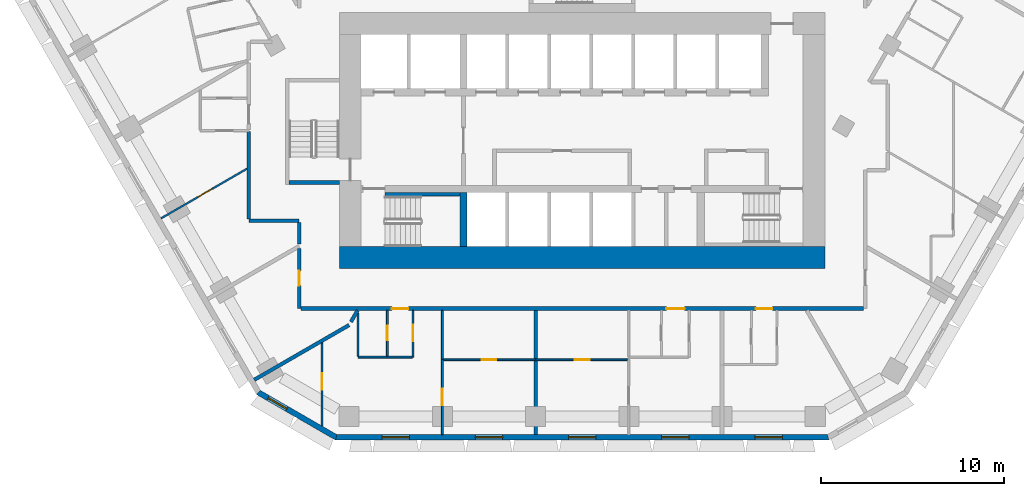
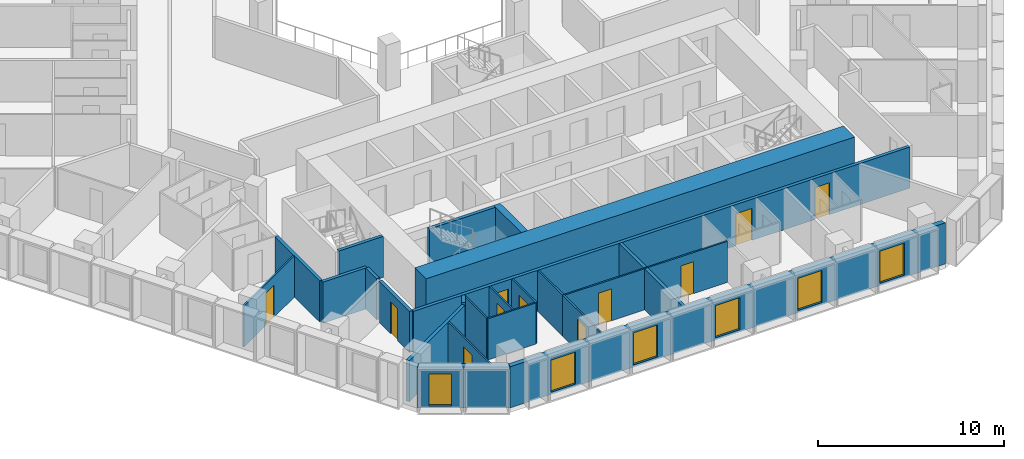
# One storey, part 3 of 16: 24 walls, 11 doors, 6 windows, 17 openings.
"""IFC4 building model written with IfcOpenShell, lengths in metres."""

from ifc_helpers import new_model, si_unit, direction, frame, frame_2d, origin, place, context, subcontext, project, spatial, polyline, rectangle, outline, extrude, material, layer, layer_set, type_object, element, fill, save


model = new_model("IFC4")

# Units and contexts
model_context = context("Model", 3, precision=1e-05, world=origin(), true_north=direction((0.0, 1.0)))
body_context = subcontext(model_context, "Body", "Model", "MODEL_VIEW")
ifc_project = project(units=[si_unit("LENGTHUNIT", "METRE"), si_unit("AREAUNIT", "SQUARE_METRE"), si_unit("VOLUMEUNIT", "CUBIC_METRE"), si_unit("PLANEANGLEUNIT", "RADIAN"), si_unit("MASSUNIT", "GRAM", prefix="KILO")], contexts=[model_context])

# Site, building, storey
site_placement = place(None, origin())
site = spatial("IfcSite", under=ifc_project, at=site_placement, CompositionType="ELEMENT")
building_placement = place(site_placement, origin())
building = spatial("IfcBuilding", under=site, at=building_placement, Name="Beryl Residences", CompositionType="ELEMENT")
storey_placement = place(building_placement, frame((0.0, 0.0, 50.39990234375)))
storey = spatial("IfcBuildingStorey", under=building, at=storey_placement, Name="L15", CompositionType="ELEMENT", Elevation=50.39990234375)

# Wall, opening, window
ifc_material_1 = material(Name="Composite metal panel with mineral wool insulation")
ifc_layer_1 = layer(ifc_material_1, 0.300048828125)
ifc_layer_set_1 = layer_set([ifc_layer_1], Name="ES1 pale metal composite panel wall 300 mm")
wall_type_1 = type_object("IfcWallType", Name="ES1 pale metal composite panel wall 300 mm", PredefinedType="SOLIDWALL", material=ifc_layer_set_1)
wall_1_placement = place(storey_placement, frame((-17.764892578125, -25.77001953125, 0.0), z_axis=(0.0, 0.0, 1.0), x_axis=(0.866010750942, -0.50002537861, 0.0)))
wall_1 = element("IfcWall", 1, at=wall_1_placement, inside=storey, type_object=wall_type_1, Name="ES1 external wall L15 SW-S", PredefinedType="SOLIDWALL", context=body_context, shape_type="SweptSolid", body=[
    extrude(outline(polyline([(0.0, -0.14990234375), (4.999755859375, -0.14990234375), (4.91943359375, 0.14990234375), (0.080322265625, 0.14990234375), (0.0, -0.14990234375)])), origin(), (0.0, 0.0, 1.0), 2.7001953125),
])
opening_1_placement = place(wall_1_placement, frame((0.64990234375, 0.0, 0.14990234375)))
opening_1 = element("IfcOpeningElement", 2, at=opening_1_placement, cuts=wall_1, Name="Opening W2", PredefinedType="OPENING", context=body_context, shape_type="SweptSolid", body=[
    extrude(rectangle(XDim=1.199951171875, YDim=2.10009765625, at=frame_2d((0.60009765625, 1.050048828125))), frame((0.0, 0.159912109375, 0.0), z_axis=(0.0, -1.0, 0.0), x_axis=(1.0, 0.0, 0.0)), (0.0, 0.0, 1.0), 0.320068359375),
])
ifc_material_2 = material(Name="Aluminium and clear glass", Category="aluminium")
window_type_1 = type_object("IfcWindowType", Name="W2 chamfer window 1200 x 2100 mm", PartitioningType="SINGLE_PANEL", PredefinedType="WINDOW", material=ifc_material_2)
window_1_placement = place(opening_1_placement, origin())
window_1 = element("IfcWindow", 3, at=window_1_placement, inside=storey, type_object=window_type_1, Name="W2 window L15 SW-S 1", OverallHeight=2.10009765625, OverallWidth=1.199951171875, PartitioningType="SINGLE_PANEL", PredefinedType="WINDOW", context=body_context, shape_type="SweptSolid", body=[
    extrude(rectangle(XDim=1.199951171875, YDim=2.10009765625, at=frame_2d((0.60009765625, 1.050048828125))), frame((0.0, 0.030029296875, 0.0), z_axis=(0.0, -1.0, 0.0), x_axis=(1.0, 0.0, 0.0)), (0.0, 0.0, 1.0), 0.06005859375),
])
fill(opening_1, window_1)

# Wall, openings, windows
wall_2_placement = place(storey_placement, frame((-13.510009765625, -28.25, 0.0), z_axis=(0.0, 0.0, 1.0), x_axis=(1.0, 0.0, 0.0)))
wall_2 = element("IfcWall", 4, at=wall_2_placement, inside=storey, type_object=wall_type_1, Name="ES1 external wall L15 S", PredefinedType="SOLIDWALL", context=body_context, shape_type="SweptSolid", body=[
    extrude(outline(polyline([(0.0, -0.14990234375), (27.02001953125, -0.14990234375), (26.939697265625, 0.14990234375), (0.080322265625, 0.14990234375), (0.0, -0.14990234375)])), origin(), (0.0, 0.0, 1.0), 2.7001953125),
])
opening_2_placement = place(wall_2_placement, frame((2.552978515625, 0.0, 0.14990234375)))
opening_2 = element("IfcOpeningElement", 5, at=opening_2_placement, cuts=wall_2, Name="Opening W1", PredefinedType="OPENING", context=body_context, shape_type="SweptSolid", body=[
    extrude(rectangle(XDim=1.5, YDim=2.10009765625, at=frame_2d((0.75, 1.050048828125))), frame((0.0, 0.159912109375, 0.0), z_axis=(0.0, -1.0, 0.0), x_axis=(1.0, 0.0, 0.0)), (0.0, 0.0, 1.0), 0.320068359375),
])
opening_3_placement = place(wall_2_placement, frame((7.656982421875, 0.0, 0.14990234375)))
opening_3 = element("IfcOpeningElement", 6, at=opening_3_placement, cuts=wall_2, Name="Opening W1", PredefinedType="OPENING", context=body_context, shape_type="SweptSolid", body=[
    extrude(rectangle(XDim=1.5, YDim=2.10009765625, at=frame_2d((0.75, 1.050048828125))), frame((0.0, 0.159912109375, 0.0), z_axis=(0.0, -1.0, 0.0), x_axis=(1.0, 0.0, 0.0)), (0.0, 0.0, 1.0), 0.320068359375),
])
opening_4_placement = place(wall_2_placement, frame((12.760986328125, 0.0, 0.14990234375)))
opening_4 = element("IfcOpeningElement", 7, at=opening_4_placement, cuts=wall_2, Name="Opening W1", PredefinedType="OPENING", context=body_context, shape_type="SweptSolid", body=[
    extrude(rectangle(XDim=1.5, YDim=2.10009765625, at=frame_2d((0.75, 1.050048828125))), frame((0.0, 0.159912109375, 0.0), z_axis=(0.0, -1.0, 0.0), x_axis=(1.0, 0.0, 0.0)), (0.0, 0.0, 1.0), 0.320068359375),
])
opening_5_placement = place(wall_2_placement, frame((17.864990234375, 0.0, 0.14990234375)))
opening_5 = element("IfcOpeningElement", 8, at=opening_5_placement, cuts=wall_2, Name="Opening W1", PredefinedType="OPENING", context=body_context, shape_type="SweptSolid", body=[
    extrude(rectangle(XDim=1.5, YDim=2.10009765625, at=frame_2d((0.75, 1.050048828125))), frame((0.0, 0.159912109375, 0.0), z_axis=(0.0, -1.0, 0.0), x_axis=(1.0, 0.0, 0.0)), (0.0, 0.0, 1.0), 0.320068359375),
])
opening_6_placement = place(wall_2_placement, frame((22.968994140625, 0.0, 0.14990234375)))
opening_6 = element("IfcOpeningElement", 9, at=opening_6_placement, cuts=wall_2, Name="Opening W1", PredefinedType="OPENING", context=body_context, shape_type="SweptSolid", body=[
    extrude(rectangle(XDim=1.5, YDim=2.10009765625, at=frame_2d((0.75, 1.050048828125))), frame((0.0, 0.159912109375, 0.0), z_axis=(0.0, -1.0, 0.0), x_axis=(1.0, 0.0, 0.0)), (0.0, 0.0, 1.0), 0.320068359375),
])
ifc_material_3 = material(Name="Aluminium and clear glass", Category="aluminium")
window_type_2 = type_object("IfcWindowType", Name="W1 cell window 1500 x 2100 mm", PartitioningType="SINGLE_PANEL", PredefinedType="WINDOW", material=ifc_material_3)
window_2_placement = place(opening_2_placement, origin())
window_2 = element("IfcWindow", 10, at=window_2_placement, inside=storey, type_object=window_type_2, Name="W1 window L15 S 2", OverallHeight=2.10009765625, OverallWidth=1.5, PartitioningType="SINGLE_PANEL", PredefinedType="WINDOW", context=body_context, shape_type="SweptSolid", body=[
    extrude(rectangle(XDim=1.5, YDim=2.10009765625, at=frame_2d((0.75, 1.050048828125))), frame((0.0, 0.030029296875, 0.0), z_axis=(0.0, -1.0, 0.0), x_axis=(1.0, 0.0, 0.0)), (0.0, 0.0, 1.0), 0.06005859375),
])
fill(opening_2, window_2)
window_3_placement = place(opening_3_placement, origin())
window_3 = element("IfcWindow", 11, at=window_3_placement, inside=storey, type_object=window_type_2, Name="W1 window L15 S 4", OverallHeight=2.10009765625, OverallWidth=1.5, PartitioningType="SINGLE_PANEL", PredefinedType="WINDOW", context=body_context, shape_type="SweptSolid", body=[
    extrude(rectangle(XDim=1.5, YDim=2.10009765625, at=frame_2d((0.75, 1.050048828125))), frame((0.0, 0.030029296875, 0.0), z_axis=(0.0, -1.0, 0.0), x_axis=(1.0, 0.0, 0.0)), (0.0, 0.0, 1.0), 0.06005859375),
])
fill(opening_3, window_3)
window_4_placement = place(opening_4_placement, origin())
window_4 = element("IfcWindow", 12, at=window_4_placement, inside=storey, type_object=window_type_2, Name="W1 window L15 S 6", OverallHeight=2.10009765625, OverallWidth=1.5, PartitioningType="SINGLE_PANEL", PredefinedType="WINDOW", context=body_context, shape_type="SweptSolid", body=[
    extrude(rectangle(XDim=1.5, YDim=2.10009765625, at=frame_2d((0.75, 1.050048828125))), frame((0.0, 0.030029296875, 0.0), z_axis=(0.0, -1.0, 0.0), x_axis=(1.0, 0.0, 0.0)), (0.0, 0.0, 1.0), 0.06005859375),
])
fill(opening_4, window_4)
window_5_placement = place(opening_5_placement, origin())
window_5 = element("IfcWindow", 13, at=window_5_placement, inside=storey, type_object=window_type_2, Name="W1 window L15 S 8", OverallHeight=2.10009765625, OverallWidth=1.5, PartitioningType="SINGLE_PANEL", PredefinedType="WINDOW", context=body_context, shape_type="SweptSolid", body=[
    extrude(rectangle(XDim=1.5, YDim=2.10009765625, at=frame_2d((0.75, 1.050048828125))), frame((0.0, 0.030029296875, 0.0), z_axis=(0.0, -1.0, 0.0), x_axis=(1.0, 0.0, 0.0)), (0.0, 0.0, 1.0), 0.06005859375),
])
fill(opening_5, window_5)
window_6_placement = place(opening_6_placement, origin())
window_6 = element("IfcWindow", 14, at=window_6_placement, inside=storey, type_object=window_type_2, Name="W1 window L15 S 10", OverallHeight=2.10009765625, OverallWidth=1.5, PartitioningType="SINGLE_PANEL", PredefinedType="WINDOW", context=body_context, shape_type="SweptSolid", body=[
    extrude(rectangle(XDim=1.5, YDim=2.10009765625, at=frame_2d((0.75, 1.050048828125))), frame((0.0, 0.030029296875, 0.0), z_axis=(0.0, -1.0, 0.0), x_axis=(1.0, 0.0, 0.0)), (0.0, 0.0, 1.0), 0.06005859375),
])
fill(opening_6, window_6)

# Walls
ifc_material_4 = material(Name="Gypsum board partition on steel studs", Category="steel")
ifc_layer_2 = layer(ifc_material_4, 0.10009765625)
ifc_layer_set_2 = layer_set([ifc_layer_2], Name="PT1 partition 100 mm gypsum board on steel studs")
wall_type_2 = type_object("IfcWallType", Name="PT1 partition 100 mm gypsum board on steel studs", PredefinedType="PARTITIONING", material=ifc_layer_set_2)
wall_3_placement = place(storey_placement, frame((-7.655029296875, -21.300048828125, 0.0), z_axis=(0.0, 0.0, 1.0), x_axis=(0.0, -1.0, 0.0)))
element("IfcWall", 15, at=wall_3_placement, inside=storey, type_object=wall_type_2, Name="Wall PT1 L15 007", PredefinedType="PARTITIONING", context=body_context, shape_type="SweptSolid", body=[
    extrude(rectangle(XDim=2.669921875, YDim=0.10009765625, at=frame_2d((1.3349609375, 0.0))), origin(), (0.0, 0.0, 1.0), 2.7001953125),
])
wall_4_placement = place(storey_placement, frame((-12.27490234375, -21.4599609375, 0.0), z_axis=(0.0, 0.0, 1.0), x_axis=(0.0, -1.0, 0.0)))
element("IfcWall", 16, at=wall_4_placement, inside=storey, type_object=wall_type_2, Name="Wall PT1 L15 008", PredefinedType="PARTITIONING", context=body_context, shape_type="SweptSolid", body=[
    extrude(rectangle(XDim=2.34912109375, YDim=0.10009765625, at=frame_2d((1.174560546875, 0.0))), origin(), (0.0, 0.0, 1.0), 2.7001953125),
])
wall_5_placement = place(storey_placement, frame((-12.27392578125, -23.860107421875, 0.0), z_axis=(0.0, 0.0, 1.0), x_axis=(1.0, 0.0, 0.0)))
element("IfcWall", 17, at=wall_5_placement, inside=storey, type_object=wall_type_2, Name="Wall PT1 L15 028", PredefinedType="PARTITIONING", context=body_context, shape_type="SweptSolid", body=[
    extrude(rectangle(XDim=2.9580078125, YDim=0.10009765625, at=frame_2d((1.47900390625, 0.0))), origin(), (0.0, 0.0, 1.0), 2.7001953125),
])

# Wall, opening, door
wall_6_placement = place(storey_placement, frame((-7.60498046875, -24.0, 0.0), z_axis=(0.0, 0.0, 1.0), x_axis=(1.0, 0.0, 0.0)))
wall_6 = element("IfcWall", 18, at=wall_6_placement, inside=storey, type_object=wall_type_2, Name="Wall PT1 L15 030", PredefinedType="PARTITIONING", context=body_context, shape_type="SweptSolid", body=[
    extrude(rectangle(XDim=5.053955078125, YDim=0.10009765625, at=frame_2d((2.52685546875, 0.0))), origin(), (0.0, 0.0, 1.0), 2.7001953125),
])
opening_7_placement = place(wall_6_placement, frame((2.10205078125, 0.0, 0.0)))
opening_7 = element("IfcOpeningElement", 19, at=opening_7_placement, cuts=wall_6, Name="Opening D0526", PredefinedType="OPENING", context=body_context, shape_type="SweptSolid", body=[
    extrude(rectangle(XDim=0.800048828125, YDim=2.10009765625, at=frame_2d((0.39990234375, 1.050048828125))), frame((0.0, 0.06005859375, 0.0), z_axis=(0.0, -1.0, 0.0), x_axis=(1.0, 0.0, 0.0)), (0.0, 0.0, 1.0), 0.1201171875),
])
ifc_material_5 = material(Name="Timber door leaf", Category="wood")
door_type_1 = type_object("IfcDoorType", Name="D3 bathroom door 800 x 2100 mm", OperationType="SINGLE_SWING_LEFT", PredefinedType="DOOR", material=ifc_material_5)
door_1_placement = place(opening_7_placement, origin())
door_1 = element("IfcDoor", 20, at=door_1_placement, inside=storey, type_object=door_type_1, Name="Door D0526 L15 001", OperationType="SINGLE_SWING_RIGHT", OverallHeight=2.10009765625, OverallWidth=0.800048828125, PredefinedType="DOOR", context=body_context, shape_type="SweptSolid", body=[
    extrude(rectangle(XDim=0.800048828125, YDim=2.10009765625, at=frame_2d((0.39990234375, 1.050048828125))), frame((0.0, 0.02490234375, 0.0), z_axis=(0.0, -1.0, 0.0), x_axis=(1.0, 0.0, 0.0)), (0.0, 0.0, 1.0), 0.050048828125),
])
fill(opening_7, door_1)

wall_7_placement = place(storey_placement, frame((-7.655029296875, -28.10009765625, 0.0), z_axis=(0.0, 0.0, 1.0), x_axis=(0.0, 1.0, 0.0)))
wall_7 = element("IfcWall", 21, at=wall_7_placement, inside=storey, type_object=wall_type_2, Name="Wall PT1 L15 052", PredefinedType="PARTITIONING", context=body_context, shape_type="SweptSolid", body=[
    extrude(rectangle(XDim=4.1201171875, YDim=0.10009765625, at=frame_2d((2.06005859375, 0.0))), origin(), (0.0, 0.0, 1.0), 2.7001953125),
])
opening_8_placement = place(wall_7_placement, frame((1.610107421875, 0.0, 0.0)))
opening_8 = element("IfcOpeningElement", 22, at=opening_8_placement, cuts=wall_7, Name="Opening D0525", PredefinedType="OPENING", context=body_context, shape_type="SweptSolid", body=[
    extrude(rectangle(XDim=0.89990234375, YDim=2.10009765625, at=frame_2d((0.449951171875, 1.050048828125))), frame((0.0, 0.06005859375, 0.0), z_axis=(0.0, -1.0, 0.0), x_axis=(1.0, 0.0, 0.0)), (0.0, 0.0, 1.0), 0.1201171875),
])
ifc_material_6 = material(Name="Timber door leaf", Category="wood")
door_type_2 = type_object("IfcDoorType", Name="D2 room door 900 x 2100 mm", OperationType="SINGLE_SWING_LEFT", PredefinedType="DOOR", material=ifc_material_6)
door_2_placement = place(opening_8_placement, origin())
door_2 = element("IfcDoor", 23, at=door_2_placement, inside=storey, type_object=door_type_2, Name="Door D0525 L15 001", OperationType="SINGLE_SWING_LEFT", OverallHeight=2.10009765625, OverallWidth=0.89990234375, PredefinedType="DOOR", context=body_context, shape_type="SweptSolid", body=[
    extrude(rectangle(XDim=0.89990234375, YDim=2.10009765625, at=frame_2d((0.449951171875, 1.050048828125))), frame((0.0, 0.02490234375, 0.0), z_axis=(0.0, -1.0, 0.0), x_axis=(1.0, 0.0, 0.0)), (0.0, 0.0, 1.0), 0.050048828125),
])
fill(opening_8, door_2)

wall_8_placement = place(storey_placement, frame((-9.264892578125, -23.85888671875, 0.0), z_axis=(0.0, 0.0, 1.0), x_axis=(0.0, 1.0, 0.0)))
wall_8 = element("IfcWall", 24, at=wall_8_placement, inside=storey, type_object=wall_type_2, Name="Wall PT1 L15 054", PredefinedType="PARTITIONING", context=body_context, shape_type="SweptSolid", body=[
    extrude(rectangle(XDim=2.558837890625, YDim=0.10009765625, at=frame_2d((1.279296875, 0.0))), origin(), (0.0, 0.0, 1.0), 2.7001953125),
])
opening_9_placement = place(wall_8_placement, frame((0.87890625, 0.0, 0.0)))
opening_9 = element("IfcOpeningElement", 25, at=opening_9_placement, cuts=wall_8, Name="Opening D0522", PredefinedType="OPENING", context=body_context, shape_type="SweptSolid", body=[
    extrude(rectangle(XDim=0.89990234375, YDim=2.10009765625, at=frame_2d((0.449951171875, 1.050048828125))), frame((0.0, 0.06005859375, 0.0), z_axis=(0.0, -1.0, 0.0), x_axis=(1.0, 0.0, 0.0)), (0.0, 0.0, 1.0), 0.1201171875),
])
door_3_placement = place(opening_9_placement, origin())
door_3 = element("IfcDoor", 26, at=door_3_placement, inside=storey, type_object=door_type_2, Name="Door D0522 L15 001", OperationType="SINGLE_SWING_RIGHT", OverallHeight=2.10009765625, OverallWidth=0.89990234375, PredefinedType="DOOR", context=body_context, shape_type="SweptSolid", body=[
    extrude(rectangle(XDim=0.89990234375, YDim=2.10009765625, at=frame_2d((0.449951171875, 1.050048828125))), frame((0.0, 0.02490234375, 0.0), z_axis=(0.0, -1.0, 0.0), x_axis=(1.0, 0.0, 0.0)), (0.0, 0.0, 1.0), 0.050048828125),
])
fill(opening_9, door_3)

wall_9_placement = place(storey_placement, frame((-10.6650390625, -23.81005859375, 0.0), z_axis=(0.0, 0.0, 1.0), x_axis=(0.0, 1.0, 0.0)))
wall_9 = element("IfcWall", 27, at=wall_9_placement, inside=storey, type_object=wall_type_2, Name="Wall PT1 L15 055", PredefinedType="PARTITIONING", context=body_context, shape_type="SweptSolid", body=[
    extrude(rectangle(XDim=2.510009765625, YDim=0.10009765625, at=frame_2d((1.2548828125, 0.0))), origin(), (0.0, 0.0, 1.0), 2.7001953125),
])
opening_10_placement = place(wall_9_placement, frame((0.8798828125, 0.0, 0.0)))
opening_10 = element("IfcOpeningElement", 28, at=opening_10_placement, cuts=wall_9, Name="Opening D0523", PredefinedType="OPENING", context=body_context, shape_type="SweptSolid", body=[
    extrude(rectangle(XDim=0.800048828125, YDim=2.10009765625, at=frame_2d((0.39990234375, 1.050048828125))), frame((0.0, 0.06005859375, 0.0), z_axis=(0.0, -1.0, 0.0), x_axis=(1.0, 0.0, 0.0)), (0.0, 0.0, 1.0), 0.1201171875),
])
door_4_placement = place(opening_10_placement, origin())
door_4 = element("IfcDoor", 29, at=door_4_placement, inside=storey, type_object=door_type_1, Name="Door D0523 L15 001", OperationType="SINGLE_SWING_LEFT", OverallHeight=2.10009765625, OverallWidth=0.800048828125, PredefinedType="DOOR", context=body_context, shape_type="SweptSolid", body=[
    extrude(rectangle(XDim=0.800048828125, YDim=2.10009765625, at=frame_2d((0.39990234375, 1.050048828125))), frame((0.0, 0.02490234375, 0.0), z_axis=(0.0, -1.0, 0.0), x_axis=(1.0, 0.0, 0.0)), (0.0, 0.0, 1.0), 0.050048828125),
])
fill(opening_10, door_4)

wall_10_placement = place(storey_placement, frame((-14.2470703125, -27.6279296875, 0.0), z_axis=(0.0, 0.0, 1.0), x_axis=(0.0, 1.0, 0.0)))
wall_10 = element("IfcWall", 30, at=wall_10_placement, inside=storey, type_object=wall_type_2, Name="Wall PT1 L15 056", PredefinedType="PARTITIONING", context=body_context, shape_type="SweptSolid", body=[
    extrude(rectangle(XDim=4.552001953125, YDim=0.10009765625, at=frame_2d((2.27587890625, 0.0))), origin(), (0.0, 0.0, 1.0), 2.7001953125),
])
opening_11_placement = place(wall_10_placement, frame((1.98388671875, 0.0, 0.0)))
opening_11 = element("IfcOpeningElement", 31, at=opening_11_placement, cuts=wall_10, Name="Opening D0524", PredefinedType="OPENING", context=body_context, shape_type="SweptSolid", body=[
    extrude(rectangle(XDim=0.89990234375, YDim=2.10009765625, at=frame_2d((0.449951171875, 1.050048828125))), frame((0.0, 0.06005859375, 0.0), z_axis=(0.0, -1.0, 0.0), x_axis=(1.0, 0.0, 0.0)), (0.0, 0.0, 1.0), 0.1201171875),
])
door_5_placement = place(opening_11_placement, origin())
door_5 = element("IfcDoor", 32, at=door_5_placement, inside=storey, type_object=door_type_2, Name="Door D0524 L15 001", OperationType="SINGLE_SWING_RIGHT", OverallHeight=2.10009765625, OverallWidth=0.89990234375, PredefinedType="DOOR", context=body_context, shape_type="SweptSolid", body=[
    extrude(rectangle(XDim=0.89990234375, YDim=2.10009765625, at=frame_2d((0.449951171875, 1.050048828125))), frame((0.0, 0.02490234375, 0.0), z_axis=(0.0, -1.0, 0.0), x_axis=(1.0, 0.0, 0.0)), (0.0, 0.0, 1.0), 0.050048828125),
])
fill(opening_11, door_5)

wall_11_placement = place(storey_placement, frame((-23.05908203125, -16.260986328125, 0.0), z_axis=(0.0, 0.0, 1.0), x_axis=(0.866004639177, 0.500035963631, 0.0)))
wall_11 = element("IfcWall", 33, at=wall_11_placement, inside=storey, type_object=wall_type_2, Name="Wall PT1 L15 062", PredefinedType="PARTITIONING", context=body_context, shape_type="SweptSolid", body=[
    extrude(rectangle(XDim=5.4375, YDim=0.10009765625, at=frame_2d((2.71875, 0.0))), origin(), (0.0, 0.0, 1.0), 2.7001953125),
])
opening_12_placement = place(wall_11_placement, frame((2.325927734375, 0.0, 0.0)))
opening_12 = element("IfcOpeningElement", 34, at=opening_12_placement, cuts=wall_11, Name="Opening D0519", PredefinedType="OPENING", context=body_context, shape_type="SweptSolid", body=[
    extrude(rectangle(XDim=0.89990234375, YDim=2.10009765625, at=frame_2d((0.449951171875, 1.050048828125))), frame((0.0, 0.06005859375, 0.0), z_axis=(0.0, -1.0, 0.0), x_axis=(1.0, 0.0, 0.0)), (0.0, 0.0, 1.0), 0.1201171875),
])
door_6_placement = place(opening_12_placement, origin())
door_6 = element("IfcDoor", 35, at=door_6_placement, inside=storey, type_object=door_type_2, Name="Door D0519 L15 001", OperationType="SINGLE_SWING_LEFT", OverallHeight=2.10009765625, OverallWidth=0.89990234375, PredefinedType="DOOR", context=body_context, shape_type="SweptSolid", body=[
    extrude(rectangle(XDim=0.89990234375, YDim=2.10009765625, at=frame_2d((0.449951171875, 1.050048828125))), frame((0.0, 0.02490234375, 0.0), z_axis=(0.0, -1.0, 0.0), x_axis=(1.0, 0.0, 0.0)), (0.0, 0.0, 1.0), 0.050048828125),
])
fill(opening_12, door_6)

wall_12_placement = place(storey_placement, frame((-2.551025390625, -24.0, 0.0), z_axis=(0.0, 0.0, 1.0), x_axis=(1.0, 0.0, 0.0)))
wall_12 = element("IfcWall", 36, at=wall_12_placement, inside=storey, type_object=wall_type_2, Name="Wall PT1 L15 074", PredefinedType="PARTITIONING", context=body_context, shape_type="SweptSolid", body=[
    extrude(rectangle(XDim=5.053955078125, YDim=0.10009765625, at=frame_2d((2.52685546875, 0.0))), origin(), (0.0, 0.0, 1.0), 2.7001953125),
])
opening_13_placement = place(wall_12_placement, frame((2.152099609375, 0.0, 0.0)))
opening_13 = element("IfcOpeningElement", 37, at=opening_13_placement, cuts=wall_12, Name="Opening D0531", PredefinedType="OPENING", context=body_context, shape_type="SweptSolid", body=[
    extrude(rectangle(XDim=0.800048828125, YDim=2.10009765625, at=frame_2d((0.39990234375, 1.050048828125))), frame((0.0, 0.06005859375, 0.0), z_axis=(0.0, -1.0, 0.0), x_axis=(1.0, 0.0, 0.0)), (0.0, 0.0, 1.0), 0.1201171875),
])
door_7_placement = place(opening_13_placement, origin())
door_7 = element("IfcDoor", 38, at=door_7_placement, inside=storey, type_object=door_type_1, Name="Door D0531 L15 001", OperationType="SINGLE_SWING_LEFT", OverallHeight=2.10009765625, OverallWidth=0.800048828125, PredefinedType="DOOR", context=body_context, shape_type="SweptSolid", body=[
    extrude(rectangle(XDim=0.800048828125, YDim=2.10009765625, at=frame_2d((0.39990234375, 1.050048828125))), frame((0.0, 0.02490234375, 0.0), z_axis=(0.0, -1.0, 0.0), x_axis=(1.0, 0.0, 0.0)), (0.0, 0.0, 1.0), 0.050048828125),
])
fill(opening_13, door_7)

# Walls
ifc_material_7 = material(Name="Acoustic double stud gypsum board wall")
ifc_layer_3 = layer(ifc_material_7, 0.199951171875)
ifc_layer_set_3 = layer_set([ifc_layer_3], Name="PT3 party wall 200 mm acoustic double stud")
wall_type_3 = type_object("IfcWallType", Name="PT3 party wall 200 mm acoustic double stud", PredefinedType="PARTITIONING", material=ifc_layer_set_3)
wall_13_placement = place(storey_placement, frame((-12.660888671875, -21.928955078125, 0.0), z_axis=(0.0, 0.0, 1.0), x_axis=(0.499683639304, 0.866207977689, 0.0)))
element("IfcWall", 39, at=wall_13_placement, inside=storey, type_object=wall_type_3, Name="Wall PT3 L15 011", PredefinedType="PARTITIONING", context=body_context, shape_type="SweptSolid", body=[
    extrude(rectangle(XDim=0.72607421875, YDim=0.199951171875, at=frame_2d((0.363037109375, 0.0))), origin(), (0.0, 0.0, 1.0), 2.7001953125),
])
wall_14_placement = place(storey_placement, frame((-2.551025390625, -28.10009765625, 0.0), z_axis=(0.0, 0.0, 1.0), x_axis=(0.0, 1.0, 0.0)))
element("IfcWall", 40, at=wall_14_placement, inside=storey, type_object=wall_type_3, Name="Wall PT3 L15 015", PredefinedType="PARTITIONING", context=body_context, shape_type="SweptSolid", body=[
    extrude(rectangle(XDim=6.800048828125, YDim=0.199951171875, at=frame_2d((3.39990234375, 0.0))), origin(), (0.0, 0.0, 1.0), 2.7001953125),
])
wall_15_placement = place(storey_placement, frame((-17.955078125, -25.10107421875, 0.0), z_axis=(0.0, 0.0, 1.0), x_axis=(0.866080519133, 0.499904525262, 0.0)))
element("IfcWall", 41, at=wall_15_placement, inside=storey, type_object=wall_type_3, Name="Wall PT3 L15 018", PredefinedType="PARTITIONING", context=body_context, shape_type="SweptSolid", body=[
    extrude(rectangle(XDim=5.997314453125, YDim=0.199951171875, at=frame_2d((2.99853515625, 0.0))), origin(), (0.0, 0.0, 1.0), 2.7001953125),
])
ifc_material_8 = material(Name="Double stud gypsum board wall")
ifc_layer_4 = layer(ifc_material_8, 0.199951171875)
ifc_layer_set_4 = layer_set([ifc_layer_4], Name="PT4 corridor wall 200 mm double stud")
wall_type_4 = type_object("IfcWallType", Name="PT4 corridor wall 200 mm double stud", PredefinedType="PARTITIONING", material=ifc_layer_set_4)
wall_16_placement = place(storey_placement, frame((-15.5, -16.5, 0.0), z_axis=(0.0, 0.0, 1.0), x_axis=(0.0, -1.0, 0.0)))
element("IfcWall", 42, at=wall_16_placement, inside=storey, type_object=wall_type_4, Name="Wall PT4 L15 007", PredefinedType="PARTITIONING", context=body_context, shape_type="SweptSolid", body=[
    extrude(rectangle(XDim=1.175048828125, YDim=0.199951171875, at=frame_2d((0.58740234375, 0.0))), origin(), (0.0, 0.0, 1.0), 2.7001953125),
])
wall_17_placement = place(storey_placement, frame((-18.25, -11.507080078125, 0.0), z_axis=(0.0, 0.0, 1.0), x_axis=(0.0, -1.0, 0.0)))
element("IfcWall", 43, at=wall_17_placement, inside=storey, type_object=wall_type_4, Name="Wall PT4 L15 008", PredefinedType="PARTITIONING", context=body_context, shape_type="SweptSolid", body=[
    extrude(rectangle(XDim=4.7919921875, YDim=0.199951171875, at=frame_2d((2.39599609375, 0.0))), origin(), (0.0, 0.0, 1.0), 2.7001953125),
])
wall_18_placement = place(storey_placement, frame((-18.2490234375, -16.39990234375, 0.0), z_axis=(0.0, 0.0, 1.0), x_axis=(1.0, 0.0, 0.0)))
element("IfcWall", 44, at=wall_18_placement, inside=storey, type_object=wall_type_4, Name="Wall PT4 L15 013", PredefinedType="PARTITIONING", context=body_context, shape_type="SweptSolid", body=[
    extrude(rectangle(XDim=2.7490234375, YDim=0.199951171875, at=frame_2d((1.37451171875, 0.0))), origin(), (0.0, 0.0, 1.0), 2.7001953125),
])

# Wall, openings, doors
wall_19_placement = place(storey_placement, frame((-15.39990234375, -21.199951171875, 0.0), z_axis=(0.0, 0.0, 1.0), x_axis=(1.0, 0.0, 0.0)))
wall_19 = element("IfcWall", 45, at=wall_19_placement, inside=storey, type_object=wall_type_4, Name="Wall PT4 L15 014", PredefinedType="PARTITIONING", context=body_context, shape_type="SweptSolid", body=[
    extrude(rectangle(XDim=30.798828125, YDim=0.199951171875, at=frame_2d((15.3994140625, 0.0))), origin(), (0.0, 0.0, 1.0), 2.7001953125),
])
opening_14_placement = place(wall_19_placement, frame((4.985107421875, 0.0, 0.0)))
opening_14 = element("IfcOpeningElement", 46, at=opening_14_placement, cuts=wall_19, Name="Opening D0521", PredefinedType="OPENING", context=body_context, shape_type="SweptSolid", body=[
    extrude(rectangle(XDim=0.89990234375, YDim=2.10009765625, at=frame_2d((0.449951171875, 1.050048828125))), frame((0.0, 0.10986328125, 0.0), z_axis=(0.0, -1.0, 0.0), x_axis=(1.0, 0.0, 0.0)), (0.0, 0.0, 1.0), 0.219970703125),
])
opening_15_placement = place(wall_19_placement, frame((20.0048828125, 0.0, 0.0)))
opening_15 = element("IfcOpeningElement", 47, at=opening_15_placement, cuts=wall_19, Name="Opening D0527", PredefinedType="OPENING", context=body_context, shape_type="SweptSolid", body=[
    extrude(rectangle(XDim=1.0, YDim=2.10009765625, at=frame_2d((0.5, 1.050048828125))), frame((0.0, 0.10986328125, 0.0), z_axis=(0.0, -1.0, 0.0), x_axis=(1.0, 0.0, 0.0)), (0.0, 0.0, 1.0), 0.219970703125),
])
opening_16_placement = place(wall_19_placement, frame((24.916015625, 0.0, 0.0)))
opening_16 = element("IfcOpeningElement", 48, at=opening_16_placement, cuts=wall_19, Name="Opening D0532", PredefinedType="OPENING", context=body_context, shape_type="SweptSolid", body=[
    extrude(rectangle(XDim=0.89990234375, YDim=2.10009765625, at=frame_2d((0.449951171875, 1.050048828125))), frame((0.0, 0.10986328125, 0.0), z_axis=(0.0, -1.0, 0.0), x_axis=(1.0, 0.0, 0.0)), (0.0, 0.0, 1.0), 0.219970703125),
])
ifc_material_9 = material(Name="Timber door leaf", Category="wood")
door_type_3 = type_object("IfcDoorType", Name="D1 flat entrance door 1000 x 2100 mm", OperationType="SINGLE_SWING_LEFT", PredefinedType="DOOR", material=ifc_material_9)
door_8_placement = place(opening_15_placement, origin())
door_8 = element("IfcDoor", 49, at=door_8_placement, inside=storey, type_object=door_type_3, Name="Door D0527 L15 001", OperationType="SINGLE_SWING_LEFT", OverallHeight=2.10009765625, OverallWidth=1.0, PredefinedType="DOOR", context=body_context, shape_type="SweptSolid", body=[
    extrude(rectangle(XDim=1.0, YDim=2.10009765625, at=frame_2d((0.5, 1.050048828125))), frame((0.0, 0.02490234375, 0.0), z_axis=(0.0, -1.0, 0.0), x_axis=(1.0, 0.0, 0.0)), (0.0, 0.0, 1.0), 0.050048828125),
])
fill(opening_15, door_8)
ifc_material_10 = material(Name="Timber door leaf", Category="wood")
door_type_4 = type_object("IfcDoorType", Name="D11 flat entrance door 900 x 2100 mm", OperationType="SINGLE_SWING_LEFT", PredefinedType="DOOR", material=ifc_material_10)
door_9_placement = place(opening_14_placement, origin())
door_9 = element("IfcDoor", 50, at=door_9_placement, inside=storey, type_object=door_type_4, Name="Door D0521 L15 001", OperationType="SINGLE_SWING_LEFT", OverallHeight=2.10009765625, OverallWidth=0.89990234375, PredefinedType="DOOR", context=body_context, shape_type="SweptSolid", body=[
    extrude(rectangle(XDim=0.89990234375, YDim=2.10009765625, at=frame_2d((0.449951171875, 1.050048828125))), frame((0.0, 0.02490234375, 0.0), z_axis=(0.0, -1.0, 0.0), x_axis=(1.0, 0.0, 0.0)), (0.0, 0.0, 1.0), 0.050048828125),
])
fill(opening_14, door_9)
door_10_placement = place(opening_16_placement, origin())
door_10 = element("IfcDoor", 51, at=door_10_placement, inside=storey, type_object=door_type_4, Name="Door D0532 L15 001", OperationType="SINGLE_SWING_RIGHT", OverallHeight=2.10009765625, OverallWidth=0.89990234375, PredefinedType="DOOR", context=body_context, shape_type="SweptSolid", body=[
    extrude(rectangle(XDim=0.89990234375, YDim=2.10009765625, at=frame_2d((0.449951171875, 1.050048828125))), frame((0.0, 0.02490234375, 0.0), z_axis=(0.0, -1.0, 0.0), x_axis=(1.0, 0.0, 0.0)), (0.0, 0.0, 1.0), 0.050048828125),
])
fill(opening_16, door_10)

# Wall, opening, door
wall_20_placement = place(storey_placement, frame((-15.5, -21.199951171875, 0.0), z_axis=(0.0, 0.0, 1.0), x_axis=(0.0, 1.0, 0.0)))
wall_20 = element("IfcWall", 52, at=wall_20_placement, inside=storey, type_object=wall_type_4, Name="Wall PT4 L15 031", PredefinedType="PARTITIONING", context=body_context, shape_type="SweptSolid", body=[
    extrude(rectangle(XDim=3.2939453125, YDim=0.199951171875, at=frame_2d((1.64697265625, 0.0))), origin(), (0.0, 0.0, 1.0), 2.7001953125),
])
opening_17_placement = place(wall_20_placement, frame((1.258056640625, 0.0, 0.0)))
opening_17 = element("IfcOpeningElement", 53, at=opening_17_placement, cuts=wall_20, Name="Opening D0520", PredefinedType="OPENING", context=body_context, shape_type="SweptSolid", body=[
    extrude(rectangle(XDim=0.800048828125, YDim=2.10009765625, at=frame_2d((0.39990234375, 1.050048828125))), frame((0.0, 0.10986328125, 0.0), z_axis=(0.0, -1.0, 0.0), x_axis=(1.0, 0.0, 0.0)), (0.0, 0.0, 1.0), 0.219970703125),
])
door_11_placement = place(opening_17_placement, origin())
door_11 = element("IfcDoor", 54, at=door_11_placement, inside=storey, type_object=door_type_1, Name="Door D0520 L15 001", OperationType="SINGLE_SWING_RIGHT", OverallHeight=2.10009765625, OverallWidth=0.800048828125, PredefinedType="DOOR", context=body_context, shape_type="SweptSolid", body=[
    extrude(rectangle(XDim=0.800048828125, YDim=2.10009765625, at=frame_2d((0.39990234375, 1.050048828125))), frame((0.0, 0.02490234375, 0.0), z_axis=(0.0, -1.0, 0.0), x_axis=(1.0, 0.0, 0.0)), (0.0, 0.0, 1.0), 0.050048828125),
])
fill(opening_17, door_11)

# Walls
ifc_material_11 = material(Name="Concrete C40/50", Category="concrete")
ifc_layer_5 = layer(ifc_material_11, 0.199951171875)
ifc_layer_set_5 = layer_set([ifc_layer_5], Name="PT5 stair enclosure wall 200 mm reinforced concrete C40/50")
wall_type_5 = type_object("IfcWallType", Name="PT5 stair enclosure wall 200 mm reinforced concrete C40/50", PredefinedType="SOLIDWALL", material=ifc_layer_set_5)
wall_21_placement = place(storey_placement, frame((-16.050048828125, -14.300048828125, 0.0), z_axis=(0.0, 0.0, 1.0), x_axis=(1.0, 0.0, 0.0)))
element("IfcWall", 55, at=wall_21_placement, inside=storey, type_object=wall_type_5, Name="Stair wall 02", PredefinedType="SOLIDWALL", context=body_context, shape_type="SweptSolid", body=[
    extrude(rectangle(XDim=2.75, YDim=0.199951171875, at=frame_2d((1.375, 0.0))), origin(), (0.0, 0.0, 1.0), 2.7001953125),
])
wall_22_placement = place(storey_placement, frame((-10.800048828125, -14.949951171875, 0.0), z_axis=(0.0, 0.0, 1.0), x_axis=(1.0, 0.0, 0.0)))
element("IfcWall", 56, at=wall_22_placement, inside=storey, type_object=wall_type_5, Name="Stair wall 04", PredefinedType="SOLIDWALL", context=body_context, shape_type="SweptSolid", body=[
    extrude(rectangle(XDim=4.10009765625, YDim=0.199951171875, at=frame_2d((2.050048828125, 0.0))), origin(), (0.0, 0.0, 1.0), 2.7001953125),
])
ifc_material_12 = material(Name="Concrete C80/95", Category="concrete")
ifc_layer_6 = layer(ifc_material_12, 1.199951171875)
ifc_layer_set_6 = layer_set([ifc_layer_6], Name="SW1 core outer wall 1200 mm C80/95")
wall_type_6 = type_object("IfcWallType", Name="SW1 core outer wall 1200 mm C80/95", PredefinedType="SHEAR", material=ifc_layer_set_6)
wall_23_placement = place(storey_placement, frame((-13.300048828125, -18.39990234375, 0.0), z_axis=(0.0, 0.0, 1.0), x_axis=(1.0, 0.0, 0.0)))
element("IfcWall", 57, at=wall_23_placement, inside=storey, type_object=wall_type_6, Name="Core wall S L15", PredefinedType="SHEAR", context=body_context, shape_type="SweptSolid", body=[
    extrude(rectangle(XDim=26.60009765625, YDim=1.199951171875, at=frame_2d((13.300048828125, 0.0))), origin(), (0.0, 0.0, 1.0), 2.7001953125),
])
ifc_material_13 = material(Name="Concrete C80/95", Category="concrete")
ifc_layer_7 = layer(ifc_material_13, 0.39990234375)
ifc_layer_set_7 = layer_set([ifc_layer_7], Name="SW6 core internal wall 400 mm C80/95")
wall_type_7 = type_object("IfcWallType", Name="SW6 core internal wall 400 mm C80/95", PredefinedType="SHEAR", material=ifc_layer_set_7)
wall_24_placement = place(storey_placement, frame((-6.5, -17.800048828125, 0.0), z_axis=(0.0, 0.0, 1.0), x_axis=(0.0, 1.0, 0.0)))
element("IfcWall", 58, at=wall_24_placement, inside=storey, type_object=wall_type_7, Name="Core wall XS1 L15", PredefinedType="SHEAR", context=body_context, shape_type="SweptSolid", body=[
    extrude(rectangle(XDim=2.949951171875, YDim=0.39990234375, at=frame_2d((1.47509765625, 0.0))), origin(), (0.0, 0.0, 1.0), 2.7001953125),
])

save(model, "model.ifc")
